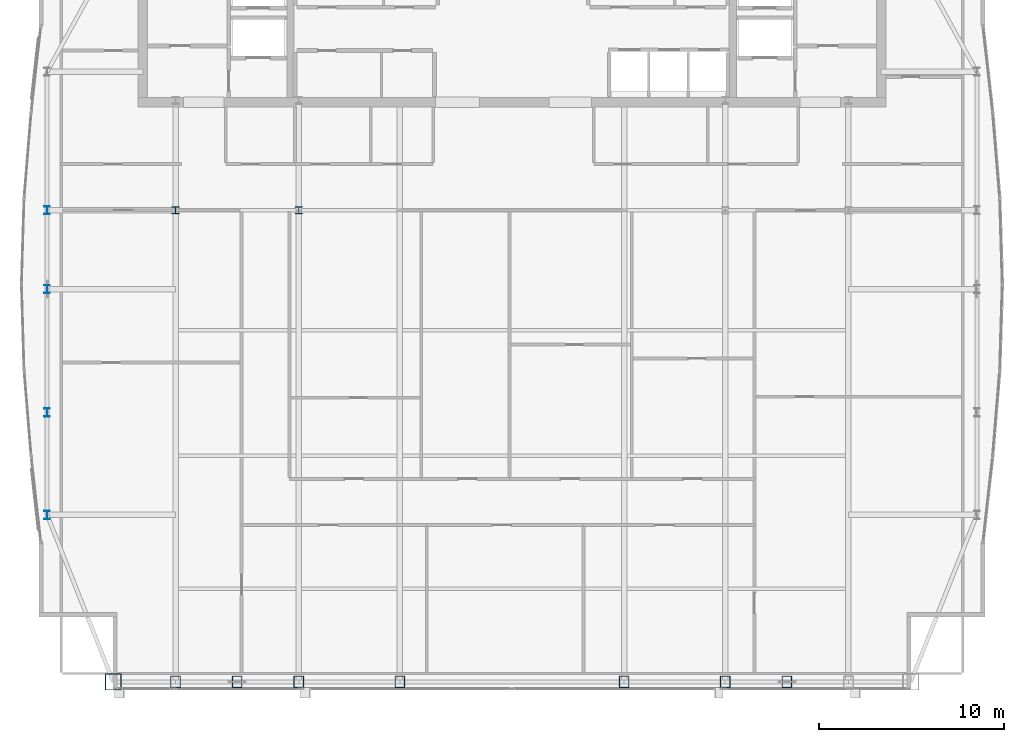
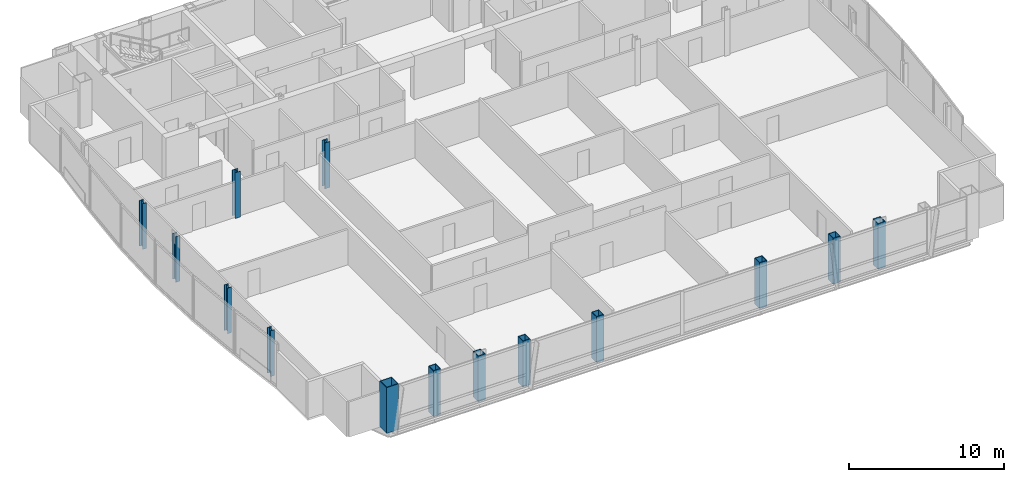
# One storey, part 1 of 25: 14 columns.
"""IFC4 building model written with IfcOpenShell, lengths in metres."""

import ifcopenshell
import ifcopenshell.guid

model = None  # the IFC model being written
_history = None  # IfcOwnerHistory: only IFC2X3 demands one
_inside = {}  # id of a spatial element -> (the spatial element, [elements in it])
_under = {}  # id of a project, library or spatial element -> (it, [spatial elements below it])
_declared = {}  # id of a project -> (the project, [libraries it declares])
_typed = {}  # id of a type object -> (the type object, [elements of that type])
_made_of = {}  # id of a material, layer set ... -> (it, [elements and type objects made of it])


def new_model(schema):
    """Start an empty IFC model of exactly this schema.

    Asked for "IFC4X3", IfcOpenShell would pick the latest addendum, in which some entities
    have other attributes; the version numbers below select the first issue.
    IFC2X3 requires an IfcOwnerHistory on every rooted entity: one is made here for all.
    """
    global model, _history
    if schema == "IFC4X3":
        model = ifcopenshell.file(schema_version=(4, 3, 0, 0))
    else:
        model = ifcopenshell.file(schema=schema)
    _inside.clear()
    _under.clear()
    _declared.clear()
    _typed.clear()
    _made_of.clear()
    _history = None
    if model.schema == "IFC2X3":
        org = make("IfcOrganization", Name="unknown")
        user = make(
            "IfcPersonAndOrganization",
            ThePerson=make("IfcPerson", FamilyName="unknown"),
            TheOrganization=org,
        )
        app = make(
            "IfcApplication",
            ApplicationDeveloper=org,
            Version="unknown",
            ApplicationFullName="unknown",
            ApplicationIdentifier="unknown",
        )
        _history = make(
            "IfcOwnerHistory",
            OwningUser=user,
            OwningApplication=app,
            ChangeAction="ADDED",
            CreationDate=0,
        )
    return model


def make(cls, **values):
    """One entity of the class cls with the attributes given. An attribute that is None is left unset."""
    return model.create_entity(
        cls, **{name: value for name, value in values.items() if value is not None}
    )


def rooted(cls, **values):
    """An entity with a GlobalId (a new one), such as an element, a storey or a relation."""
    return make(cls, GlobalId=ifcopenshell.guid.new(), OwnerHistory=_history, **values)


def si_unit(unit_type, name, prefix=None):
    """IfcSIUnit, for example si_unit("LENGTHUNIT", "METRE", prefix="MILLI")."""
    return make("IfcSIUnit", UnitType=unit_type, Prefix=prefix, Name=name)


def assignment(units):
    """IfcUnitAssignment: the units of a project."""
    return None if units is None else make("IfcUnitAssignment", Units=units)


def point(xyz):
    """IfcCartesianPoint."""
    return None if xyz is None else make("IfcCartesianPoint", Coordinates=xyz)


def direction(xyz):
    """IfcDirection."""
    return None if xyz is None else make("IfcDirection", DirectionRatios=xyz)


def frame(location, z_axis=None, x_axis=None):
    """IfcAxis2Placement3D, a coordinate frame: its origin and axes. An axis left out is left unset."""
    return make(
        "IfcAxis2Placement3D",
        Location=point(location),
        Axis=direction(z_axis),
        RefDirection=direction(x_axis),
    )


def frame_2d(location, x_axis=None):
    """IfcAxis2Placement2D, a coordinate frame in the plane: its origin and x axis."""
    return make(
        "IfcAxis2Placement2D", Location=point(location), RefDirection=direction(x_axis)
    )


def origin():
    """The frame at (0, 0, 0) with its axes left unset."""
    return frame((0.0, 0.0, 0.0))


def origin_2d():
    """The frame at (0, 0) in the plane with its x axis left unset."""
    return frame_2d((0.0, 0.0))


def place(relative_to, where):
    """IfcLocalPlacement: puts the frame where relative to a parent placement (None: the world)."""
    return make(
        "IfcLocalPlacement", PlacementRelTo=relative_to, RelativePlacement=where
    )


def context(
    kind, dimensions, precision=None, world=None, true_north=None, identifier=None
):
    """IfcGeometricRepresentationContext, for example the 3D "Model" context."""
    return make(
        "IfcGeometricRepresentationContext",
        ContextIdentifier=identifier,
        ContextType=kind,
        CoordinateSpaceDimension=dimensions,
        Precision=precision,
        WorldCoordinateSystem=world,
        TrueNorth=true_north,
    )


def subcontext(parent, identifier, kind, view, scale=None):
    """IfcGeometricRepresentationSubContext, for example "Body" below "Model"."""
    return make(
        "IfcGeometricRepresentationSubContext",
        ContextIdentifier=identifier,
        ContextType=kind,
        ParentContext=parent,
        TargetScale=scale,
        TargetView=view,
    )


def project(units=None, contexts=None):
    """IfcProject with its units and contexts."""
    return rooted(
        "IfcProject",
        Name="project",
        RepresentationContexts=contexts,
        UnitsInContext=assignment(units),
    )


def spatial(cls, under=None, at=None, **own):
    """A site, building, storey or space (cls), placed at a placement, below another one or the project."""
    s = rooted(cls, ObjectPlacement=at, **own)
    if under is not None:
        _under.setdefault(under.id(), (under, []))[1].append(s)
    return s


def profile(cls, at=None, kind="AREA", **sizes):
    """A parametric profile (cls). Its sizes go by their IFC names, for example OverallWidth=200.0."""
    return make(cls, ProfileType=kind, Position=at, **sizes)


def hollow_rectangle(**sizes):
    """IfcRectangleHollowProfileDef."""
    return profile("IfcRectangleHollowProfileDef", **sizes)


def i_section(**sizes):
    """IfcIShapeProfileDef."""
    return profile("IfcIShapeProfileDef", **sizes)


def extrude(swept, where, along, depth):
    """IfcExtrudedAreaSolid: the profile swept, set in the frame where, extruded along a direction by depth."""
    return make(
        "IfcExtrudedAreaSolid",
        SweptArea=swept,
        Position=where,
        ExtrudedDirection=direction(along),
        Depth=depth,
    )


def shape(context_of_items, identifier, shape_type, items):
    """IfcShapeRepresentation: the items that make up one representation, for example the "Body"."""
    return make(
        "IfcShapeRepresentation",
        ContextOfItems=context_of_items,
        RepresentationIdentifier=identifier,
        RepresentationType=shape_type,
        Items=items,
    )


def material(Name=None, Category=None):
    """IfcMaterial."""
    return make("IfcMaterial", Name=Name, Category=Category)


def material_profile(
    of_material, cross_section, Name=None, Category=None, Priority=None
):
    """IfcMaterialProfile: a cross section and its material."""
    return make(
        "IfcMaterialProfile",
        Name=Name,
        Material=of_material,
        Profile=cross_section,
        Priority=Priority,
        Category=Category,
    )


def profile_set(profiles, Name=None, composite=None):
    """IfcMaterialProfileSet."""
    return make(
        "IfcMaterialProfileSet",
        Name=Name,
        MaterialProfiles=profiles,
        CompositeProfile=composite,
    )


def made_of(thing, what):
    """Note that an element or type object is made of a material, layer set ...; save() writes the relation."""
    if what is not None:
        _made_of.setdefault(what.id(), (what, []))[1].append(thing)
    return thing


def type_object(cls, material=None, **own):
    """A type object (cls), such as IfcWallType, which elements share."""
    return made_of(rooted(cls, **own), material)


def element(
    cls,
    number,
    at=None,
    inside=None,
    cuts=None,
    type_object=None,
    material=None,
    context=None,
    identifier="Body",
    shape_type=None,
    held_by="IfcProductDefinitionShape",
    body=None,
    shapes=None,
    **own,
):
    """One element of the class cls, such as IfcWall. Its Tag is "e" and its number.

    at: its placement. inside: the storey or other place that contains it. cuts: it is an
    opening in that element (IfcRelVoidsElement). A single representation is given by context,
    identifier, shape_type and body (its items); several are given by shapes. held_by: the class
    of the entity that holds the representations. save() writes the other relations.
    """
    e = rooted(cls, Tag="e%d" % number, ObjectPlacement=at, **own)
    if body is not None:
        shapes = [shape(context, identifier, shape_type, body)]
    if shapes is not None:
        e.Representation = make(held_by, Representations=shapes)
    if inside is not None:
        _inside.setdefault(inside.id(), (inside, []))[1].append(e)
    if cuts is not None:
        rooted(
            "IfcRelVoidsElement", RelatingBuildingElement=cuts, RelatedOpeningElement=e
        )
    if type_object is not None:
        _typed.setdefault(type_object.id(), (type_object, []))[1].append(e)
    return made_of(e, material)


def aggregate(whole, parts):
    """IfcRelAggregates: a whole, such as a stair, and the parts it consists of."""
    return rooted("IfcRelAggregates", RelatingObject=whole, RelatedObjects=parts)


def save(model, path):
    """Write the relations noted so far, then the file.

    IfcRelAggregates (storeys below a building ...), IfcRelContainedInSpatialStructure (elements
    in a storey), IfcRelDefinesByType, IfcRelAssociatesMaterial and IfcRelDeclares: one each for
    every whole, place, type object, material and project.
    """
    for whole, parts in _under.values():
        aggregate(whole, parts)
    for where, things in _inside.values():
        rooted(
            "IfcRelContainedInSpatialStructure",
            RelatedElements=things,
            RelatingStructure=where,
        )
    for kind, things in _typed.values():
        rooted("IfcRelDefinesByType", RelatedObjects=things, RelatingType=kind)
    for what, things in _made_of.values():
        rooted("IfcRelAssociatesMaterial", RelatedObjects=things, RelatingMaterial=what)
    for by, libraries in _declared.values():
        rooted("IfcRelDeclares", RelatingContext=by, RelatedDefinitions=libraries)
    model.write(path)


model = new_model("IFC4")

# Units and contexts
model_context = context("Model", 3, precision=1e-05, world=origin(), true_north=direction((0.0, 1.0)))
body_context = subcontext(model_context, "Body", "Model", "MODEL_VIEW")
ifc_project = project(units=[si_unit("LENGTHUNIT", "METRE"), si_unit("AREAUNIT", "SQUARE_METRE"), si_unit("VOLUMEUNIT", "CUBIC_METRE"), si_unit("PLANEANGLEUNIT", "RADIAN"), si_unit("MASSUNIT", "GRAM", prefix="KILO")], contexts=[model_context])

# Site, building, storey
site_placement = place(None, origin())
site = spatial("IfcSite", under=ifc_project, at=site_placement, CompositionType="ELEMENT")
building_placement = place(site_placement, origin())
building = spatial("IfcBuilding", under=site, at=building_placement, Name="Khoronbel Lancet Exchange", CompositionType="ELEMENT")
storey_placement = place(building_placement, frame((0.0, 0.0, 298.60009765625)))
storey = spatial("IfcBuildingStorey", under=building, at=storey_placement, Name="L77", CompositionType="ELEMENT", Elevation=298.60009765625)

# Columns
ifc_material_1 = material(Name="Steel S460", Category="steel")
ifc_material_profile_1 = material_profile(ifc_material_1, hollow_rectangle(XDim=0.550048828125, YDim=0.64990234375, WallThickness=0.0400390625, at=origin_2d()), Name="BOX 650x550x40")
ifc_profile_set_1 = profile_set([ifc_material_profile_1], Name="Steel S460")
column_type_1 = type_object("IfcColumnType", Name="COL-EC4", PredefinedType="COLUMN", material=ifc_profile_set_1)
for number, where, z_axis, x_axis, name in (
    (1, (18.22509765625, 10.14990234375, 0.0), (0.0, 0.0, 1.0), (1.0, 0.0, 0.0), "Structural column SC-W1 L77"),
    (2, (21.5625, 10.14990234375, 0.0), (0.0, 0.0, 1.0), (1.0, 0.0, 0.0), "Structural column SC-WM L77"),
    (3, (24.89990234375, 10.14990234375, 0.0), (0.0, 0.0, 1.0), (1.0, 0.0, 0.0), "Structural column SC-W2 L77"),
    (4, (30.375, 10.14990234375, 0.0), (0.0, 0.0, 1.0), (1.0, 0.0, 0.0), "Structural column SC-C1 L77"),
    (5, (42.52490234375, 10.14990234375, 0.0), (0.0, 0.0, 1.0), (1.0, 0.0, 0.0), "Structural column SC-C2 L77"),
    (6, (48.0, 10.14990234375, 0.0), (0.0, 0.0, 1.0), (1.0, 0.0, 0.0), "Structural column SC-E1 L77"),
    (7, (51.33740234375, 10.14990234375, 0.0), (0.0, 0.0, 1.0), (1.0, 0.0, 0.0), "Structural column SC-EM L77"),
):
    element("IfcColumn", number, at=place(storey_placement, frame(where, z_axis=z_axis, x_axis=x_axis)), inside=storey, type_object=column_type_1, Name=name, PredefinedType="COLUMN", context=body_context, shape_type="SweptSolid", body=[
        extrude(hollow_rectangle(XDim=0.550048828125, YDim=0.64990234375, WallThickness=0.0400390625, at=origin_2d()), origin(), (0.0, 0.0, 1.0), 3.599853515625),
    ])
ifc_material_2 = material(Name="Steel S355", Category="steel")
ifc_material_profile_2 = material_profile(ifc_material_2, i_section(OverallWidth=0.39892578125, OverallDepth=0.39306640625, WebThickness=0.022705078125, FlangeThickness=0.03662109375, at=origin_2d()), Name="HD 400x287")
ifc_profile_set_2 = profile_set([ifc_material_profile_2], Name="Steel S355")
column_type_2 = type_object("IfcColumnType", Name="COL-IC4", PredefinedType="COLUMN", material=ifc_profile_set_2)
for number, where, z_axis, x_axis, name in (
    (8, (18.22509765625, 35.699951171875, 0.0), (0.0, 0.0, 1.0), (1.0, 0.0, 0.0), "Spine gravity column TC1 L77"),
    (9, (24.89990234375, 35.699951171875, 0.0), (0.0, 0.0, 1.0), (1.0, 0.0, 0.0), "Spine gravity column TC2 L77"),
):
    element("IfcColumn", number, at=place(storey_placement, frame(where, z_axis=z_axis, x_axis=x_axis)), inside=storey, type_object=column_type_2, Name=name, PredefinedType="COLUMN", context=body_context, shape_type="SweptSolid", body=[
        extrude(i_section(OverallWidth=0.39892578125, OverallDepth=0.39306640625, WebThickness=0.022705078125, FlangeThickness=0.03662109375, at=origin_2d()), origin(), (0.0, 0.0, 1.0), 3.599853515625),
    ])
ifc_material_profile_3 = material_profile(ifc_material_2, i_section(OverallWidth=0.300048828125, OverallDepth=0.449951171875, WebThickness=0.013916015625, FlangeThickness=0.02587890625, at=origin_2d()), Name="HEB 450")
ifc_profile_set_3 = profile_set([ifc_material_profile_3], Name="Steel S355")
column_type_3 = type_object("IfcColumnType", Name="COL-LC2", PredefinedType="COLUMN", material=ifc_profile_set_3)
for number, where, z_axis, x_axis, name in (
    (10, (11.27001953125, 19.199951171875, 0.0), (0.0, 0.0, 1.0), (1.0, 0.0, 0.0), "Structural column WC-1 L77"),
    (11, (11.27001953125, 24.75, 0.0), (0.0, 0.0, 1.0), (1.0, 0.0, 0.0), "Structural column WC-2 L77"),
    (12, (11.27001953125, 31.425048828125, 0.0), (0.0, 0.0, 1.0), (1.0, 0.0, 0.0), "Structural column WC-M L77"),
    (13, (11.27001953125, 35.699951171875, 0.0), (0.0, 0.0, 1.0), (1.0, 0.0, 0.0), "Structural column WC-3 L77"),
):
    element("IfcColumn", number, at=place(storey_placement, frame(where, z_axis=z_axis, x_axis=x_axis)), inside=storey, type_object=column_type_3, Name=name, PredefinedType="COLUMN", context=body_context, shape_type="SweptSolid", body=[
        extrude(i_section(OverallWidth=0.300048828125, OverallDepth=0.449951171875, WebThickness=0.013916015625, FlangeThickness=0.02587890625, at=origin_2d()), origin(), (0.0, 0.0, 1.0), 3.599853515625),
    ])
ifc_material_profile_4 = material_profile(ifc_material_1, hollow_rectangle(XDim=0.89990234375, YDim=0.89990234375, WallThickness=0.050048828125, at=origin_2d()), Name="BOX 900x900x50")
ifc_profile_set_4 = profile_set([ifc_material_profile_4], Name="Steel S460")
column_type_4 = type_object("IfcColumnType", Name="COL-MC7", PredefinedType="COLUMN", material=ifc_profile_set_4)
column_placement = place(storey_placement, frame((14.85009765625, 10.14990234375, 0.0), z_axis=(0.0, 0.0, 1.0), x_axis=(1.0, 0.0, 0.0)))
element("IfcColumn", 14, at=column_placement, inside=storey, type_object=column_type_4, Name="Structural column MC-SW L77", PredefinedType="COLUMN", context=body_context, shape_type="SweptSolid", body=[
    extrude(hollow_rectangle(XDim=0.89990234375, YDim=0.89990234375, WallThickness=0.050048828125, at=origin_2d()), origin(), (0.0, 0.0, 1.0), 3.599853515625),
])

save(model, "model.ifc")
